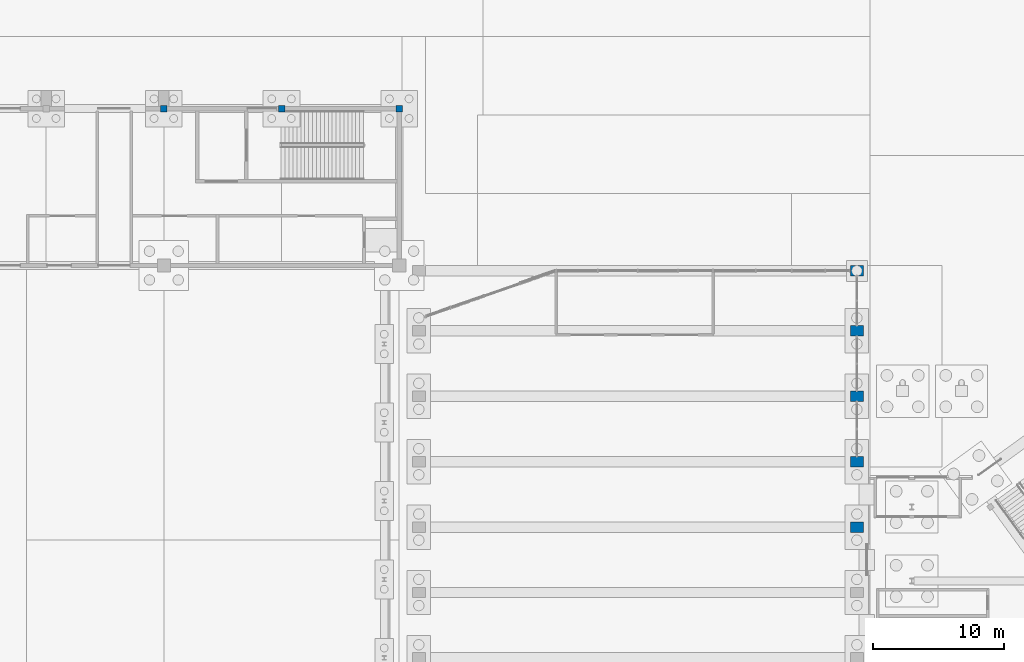
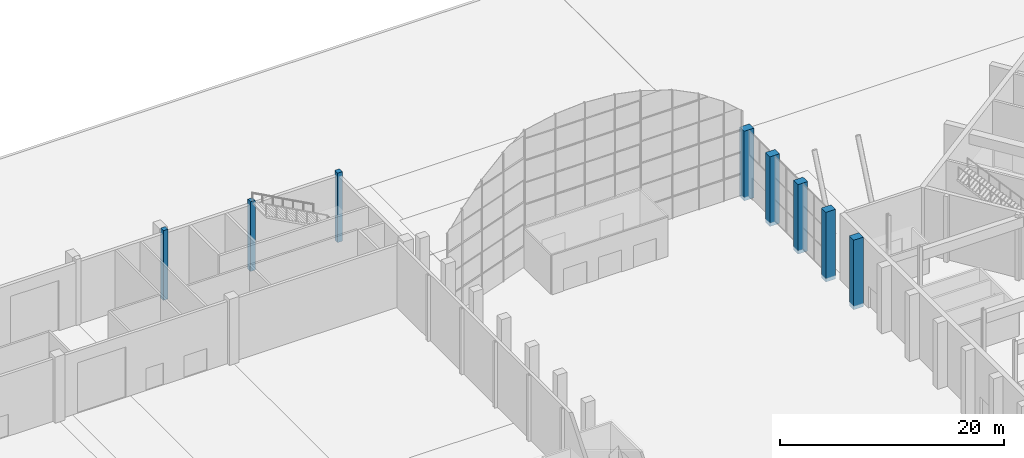
# One storey, part 45 of 239: 8 columns.
"""IFC4 building model written with IfcOpenShell, lengths in metres."""

from ifc_helpers import new_model, si_unit, direction, frame, origin, origin_2d, place, context, subcontext, project, spatial, rectangle, extrude, material, material_profile, profile_set, type_object, element, save


model = new_model("IFC4")

# Units and contexts
model_context = context("Model", 3, precision=1e-05, world=origin(), true_north=direction((0.0, 1.0)))
body_context = subcontext(model_context, "Body", "Model", "MODEL_VIEW")
ifc_project = project(units=[si_unit("LENGTHUNIT", "METRE"), si_unit("AREAUNIT", "SQUARE_METRE"), si_unit("VOLUMEUNIT", "CUBIC_METRE"), si_unit("PLANEANGLEUNIT", "RADIAN"), si_unit("MASSUNIT", "GRAM", prefix="KILO")], contexts=[model_context])

# Site, building, storey
site_placement = place(None, origin())
site = spatial("IfcSite", under=ifc_project, at=site_placement, CompositionType="ELEMENT")
building_placement = place(site_placement, origin())
building = spatial("IfcBuilding", under=site, at=building_placement, Name="Okhra Congress Centre", CompositionType="ELEMENT")
storey_placement = place(building_placement, origin())
storey = spatial("IfcBuildingStorey", under=building, at=storey_placement, Name="L00", CompositionType="ELEMENT", Elevation=0.0)

# Columns
ifc_material_1 = material(Name="Concrete C35/45", Category="concrete")
ifc_material_profile_1 = material_profile(ifc_material_1, rectangle(XDim=0.5, YDim=0.5, at=origin_2d()), Name="RC 500x500")
ifc_profile_set_1 = profile_set([ifc_material_profile_1], Name="Concrete C35/45")
column_type_1 = type_object("IfcColumnType", Name="RC column 500x500 C35/45", PredefinedType="COLUMN", material=ifc_profile_set_1)
for number, where, z_axis, x_axis, name in (
    (1, (136.0, 228.0, -0.39990234375), (0.0, 0.0, 1.0), (1.0, 0.0, 0.0), "EH.COL.L00.KC13"),
    (2, (145.0, 228.0, -0.39990234375), (0.0, 0.0, 1.0), (1.0, 0.0, 0.0), "EH.COL.L00.KC14"),
    (3, (154.0, 228.0, -0.39990234375), (0.0, 0.0, 1.0), (1.0, 0.0, 0.0), "EH.COL.L00.KC15"),
):
    element("IfcColumn", number, at=place(storey_placement, frame(where, z_axis=z_axis, x_axis=x_axis)), inside=storey, type_object=column_type_1, Name=name, PredefinedType="COLUMN", context=body_context, shape_type="SweptSolid", body=[
        extrude(rectangle(XDim=0.5, YDim=0.5, at=origin_2d()), origin(), (0.0, 0.0, 1.0), 7.599853515625),
    ])
ifc_material_2 = material(Name="Concrete C40/50", Category="concrete")
ifc_material_profile_2 = material_profile(ifc_material_2, rectangle(XDim=1.0, YDim=0.800048828125, at=origin_2d()), Name="RC 1000x800")
ifc_profile_set_2 = profile_set([ifc_material_profile_2], Name="Concrete C40/50")
column_type_2 = type_object("IfcColumnType", Name="RC pier 1000x800 C40/50", PredefinedType="COLUMN", material=ifc_profile_set_2)
for number, where, z_axis, x_axis, name in (
    (4, (189.0, 196.0, -0.39990234375), (0.0, 0.0, 1.0), (1.0, 0.0, 0.0), "WG.COL.L00.pier-E24"),
    (5, (189.0, 201.0, -0.39990234375), (0.0, 0.0, 1.0), (1.0, 0.0, 0.0), "WG.COL.L00.pier-E25"),
    (6, (189.0, 206.0, -0.39990234375), (0.0, 0.0, 1.0), (1.0, 0.0, 0.0), "WG.COL.L00.pier-E26"),
    (7, (189.0, 211.0, -0.39990234375), (0.0, 0.0, 1.0), (1.0, 0.0, 0.0), "WG.COL.L00.pier-E27"),
    (8, (189.0, 215.60009765625, -0.39990234375), (0.0, 0.0, 1.0), (1.0, 0.0, 0.0), "WG.COL.L00.pier-E28"),
):
    element("IfcColumn", number, at=place(storey_placement, frame(where, z_axis=z_axis, x_axis=x_axis)), inside=storey, type_object=column_type_2, Name=name, PredefinedType="COLUMN", context=body_context, shape_type="SweptSolid", body=[
        extrude(rectangle(XDim=1.0, YDim=0.800048828125, at=origin_2d()), origin(), (0.0, 0.0, 1.0), 7.599853515625),
    ])

save(model, "model.ifc")
